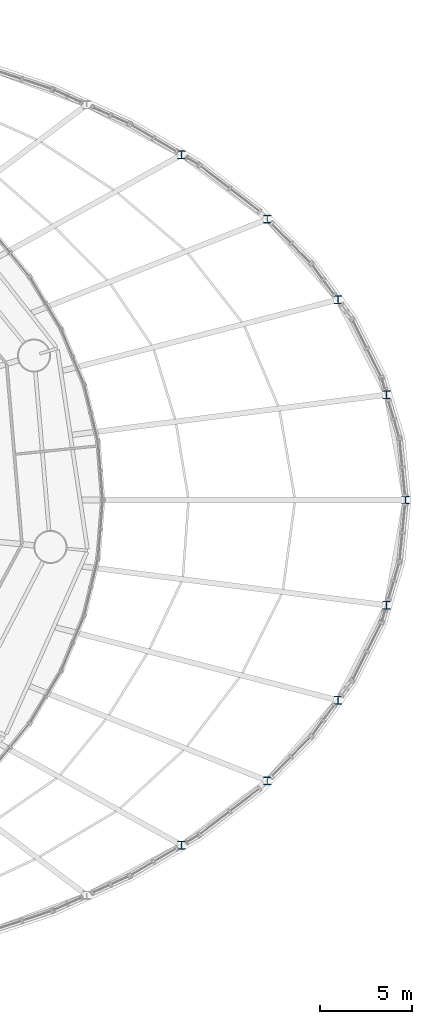
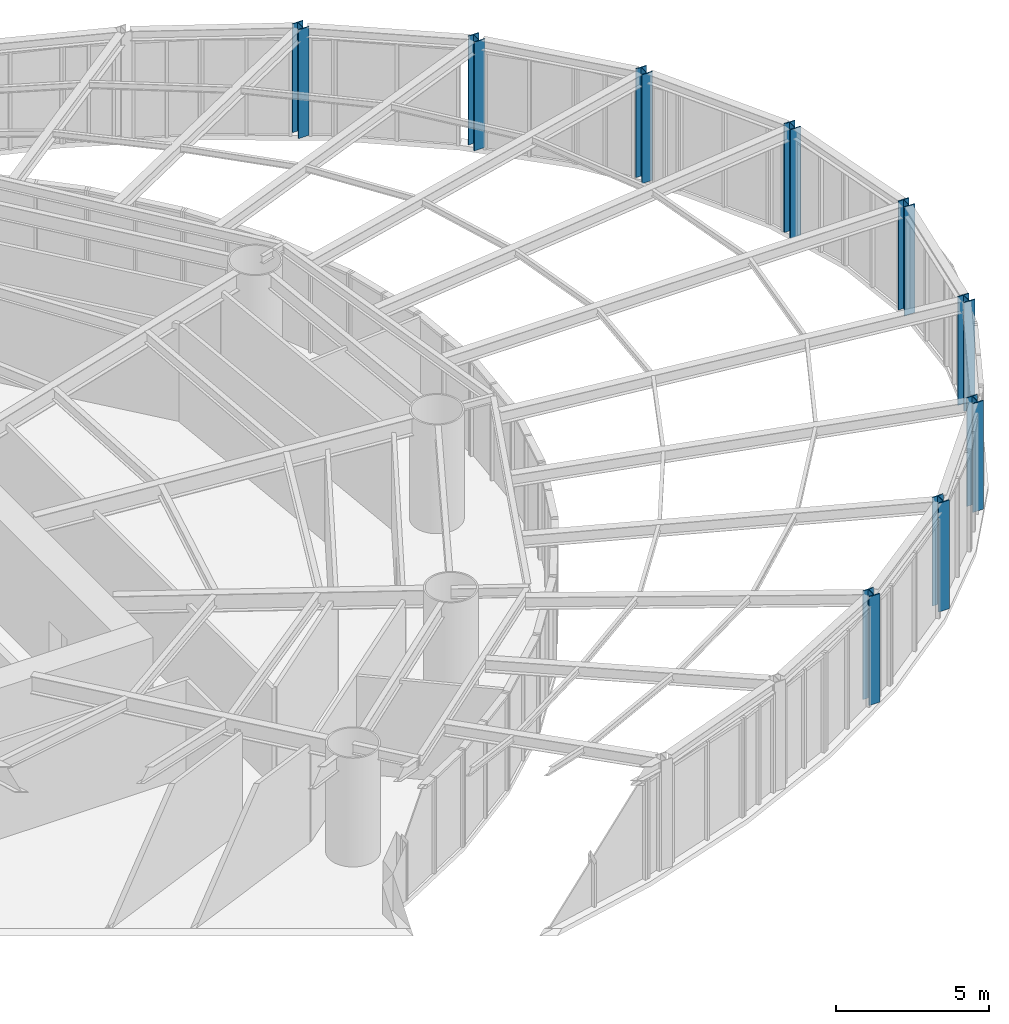
# One storey, part 3 of 23: 9 columns.
"""IFC4 building model written with IfcOpenShell, lengths in metres."""

from ifc_helpers import new_model, si_unit, direction, frame, origin, origin_2d, place, context, subcontext, project, spatial, i_section, extrude, material, material_profile, profile_set, type_object, element, save


model = new_model("IFC4")

# Units and contexts
model_context = context("Model", 3, precision=1e-05, world=origin(), true_north=direction((0.0, 1.0)))
body_context = subcontext(model_context, "Body", "Model", "MODEL_VIEW")
ifc_project = project(units=[si_unit("LENGTHUNIT", "METRE"), si_unit("AREAUNIT", "SQUARE_METRE"), si_unit("VOLUMEUNIT", "CUBIC_METRE"), si_unit("PLANEANGLEUNIT", "RADIAN"), si_unit("MASSUNIT", "GRAM", prefix="KILO")], contexts=[model_context])

# Site, building, storey
site_placement = place(None, origin())
site = spatial("IfcSite", under=ifc_project, at=site_placement, CompositionType="ELEMENT")
building_placement = place(site_placement, origin())
building = spatial("IfcBuilding", under=site, at=building_placement, Name="Vermilion Reach Broadcast Tower", CompositionType="ELEMENT")
storey_placement = place(building_placement, frame((0.0, 0.0, 31.5)))
storey = spatial("IfcBuildingStorey", under=building, at=storey_placement, Name="L04", CompositionType="ELEMENT", Elevation=31.5)

# Columns
ifc_material = material(Name="Steel S460NL", Category="steel")
ifc_material_profile = material_profile(ifc_material, i_section(OverallWidth=0.406982421875, OverallDepth=0.427978515625, WebThickness=0.02001953125, FlangeThickness=0.034912109375, at=origin_2d()), Name="S460NL HW 428x407x20x35")
ifc_profile_set = profile_set([ifc_material_profile], Name="Steel S460NL")
column_type = type_object("IfcColumnType", Name="AP HW 428x407x20x35", PredefinedType="COLUMN", material=ifc_profile_set)
for number, where, z_axis, x_axis, name in (
    (1, (27.570556640625, -18.70068359375, 0.0), (0.0, 0.0, 1.0), (1.0, 0.0, 0.0), "Atrium post AP04"),
    (2, (32.211669921875, -15.213134765625, 0.0), (0.0, 0.0, 1.0), (1.0, 0.0, 0.0), "Atrium post AP05"),
    (3, (36.033935546875, -10.847412109375, 0.0), (0.0, 0.0, 1.0), (1.0, 0.0, 0.0), "Atrium post AP06"),
    (4, (38.6767578125, -5.701416015625, 0.0), (0.0, 0.0, 1.0), (1.0, 0.0, 0.0), "Atrium post AP07"),
    (5, (39.699951171875, 0.0, 0.0), (0.0, 0.0, 1.0), (1.0, 0.0, 0.0), "Atrium post AP08"),
    (6, (38.6767578125, 5.701416015625, 0.0), (0.0, 0.0, 1.0), (1.0, 0.0, 0.0), "Atrium post AP09"),
    (7, (36.033935546875, 10.847412109375, 0.0), (0.0, 0.0, 1.0), (1.0, 0.0, 0.0), "Atrium post AP10"),
    (8, (32.211669921875, 15.213134765625, 0.0), (0.0, 0.0, 1.0), (1.0, 0.0, 0.0), "Atrium post AP11"),
    (9, (27.570556640625, 18.70068359375, 0.0), (0.0, 0.0, 1.0), (1.0, 0.0, 0.0), "Atrium post AP12"),
):
    element("IfcColumn", number, at=place(storey_placement, frame(where, z_axis=z_axis, x_axis=x_axis)), inside=storey, type_object=column_type, Name=name, PredefinedType="COLUMN", context=body_context, shape_type="SweptSolid", body=[
        extrude(i_section(OverallWidth=0.406982421875, OverallDepth=0.427978515625, WebThickness=0.02001953125, FlangeThickness=0.034912109375, at=origin_2d()), origin(), (0.0, 0.0, 1.0), 4.35009765625),
    ])

save(model, "model.ifc")
